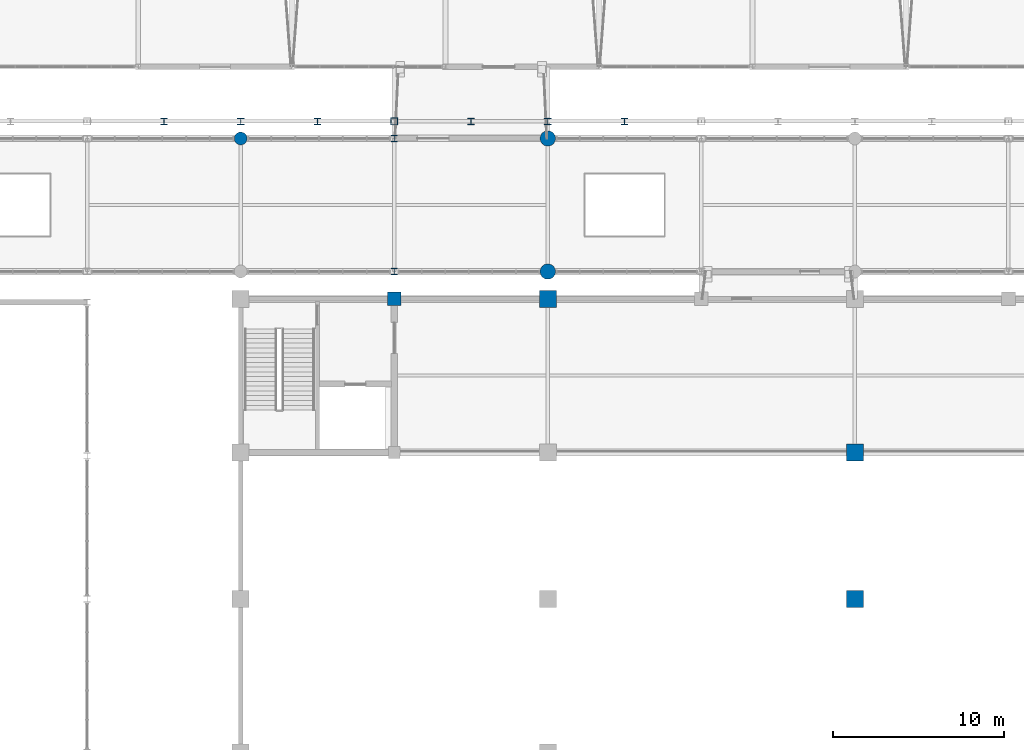
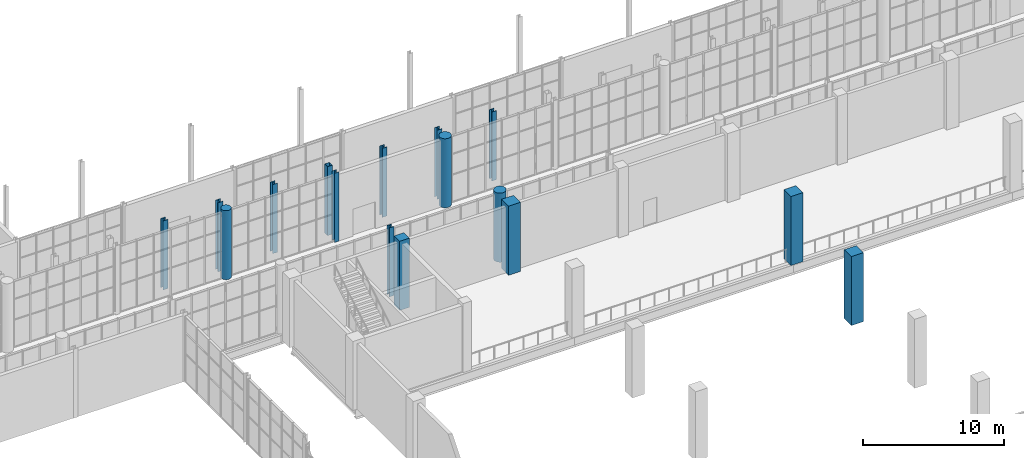
# One storey, part 6 of 159: 16 columns.
"""IFC4 building model written with IfcOpenShell, lengths in metres."""

from ifc_helpers import new_model, si_unit, direction, frame, origin, origin_2d, place, context, subcontext, project, spatial, rectangle, hollow_rectangle, circle, i_section, extrude, material, material_profile, profile_set, type_object, element, save


model = new_model("IFC4")

# Units and contexts
model_context = context("Model", 3, precision=1e-05, world=origin(), true_north=direction((0.0, 1.0)))
body_context = subcontext(model_context, "Body", "Model", "MODEL_VIEW")
ifc_project = project(units=[si_unit("LENGTHUNIT", "METRE"), si_unit("AREAUNIT", "SQUARE_METRE"), si_unit("VOLUMEUNIT", "CUBIC_METRE"), si_unit("PLANEANGLEUNIT", "RADIAN"), si_unit("MASSUNIT", "GRAM", prefix="KILO")], contexts=[model_context])

# Site, building, storey
site_placement = place(None, origin())
site = spatial("IfcSite", under=ifc_project, at=site_placement, CompositionType="ELEMENT")
building_placement = place(site_placement, origin())
building = spatial("IfcBuilding", under=site, at=building_placement, Name="Cazmaro Siding Exhibition Halls", CompositionType="ELEMENT")
storey_placement = place(building_placement, frame((0.0, 0.0, 6.0)))
storey = spatial("IfcBuildingStorey", under=building, at=storey_placement, Name="L01", CompositionType="ELEMENT", Elevation=6.0)

# Columns
ifc_material_1 = material(Name="Steel ASTM A992 Grade 50", Category="steel")
ifc_material_profile_1 = material_profile(ifc_material_1, i_section(OverallWidth=0.39208984375, OverallDepth=0.3759765625, WebThickness=0.01708984375, FlangeThickness=0.028076171875, at=origin_2d()), Name="W14X145")
ifc_profile_set_1 = profile_set([ifc_material_profile_1], Name="Steel ASTM A992 Grade 50")
column_type_1 = type_object("IfcColumnType", Name="C-03", PredefinedType="COLUMN", material=ifc_profile_set_1)
for number, where, z_axis, x_axis, name in (
    (1, (67.5, 64.0, 0.0), (0.0, 0.0, 1.0), (1.0, 0.0, 0.0), "Column C-03 COL-0032"),
    (2, (76.5, 64.0, 0.0), (0.0, 0.0, 1.0), (1.0, 0.0, 0.0), "Column C-03 COL-0044"),
    (3, (85.5, 64.0, 0.0), (0.0, 0.0, 1.0), (1.0, 0.0, 0.0), "Column C-03 COL-0056"),
    (4, (94.5, 64.0, 0.0), (0.0, 0.0, 1.0), (1.0, 0.0, 0.0), "Column C-03 COL-0068"),
):
    element("IfcColumn", number, at=place(storey_placement, frame(where, z_axis=z_axis, x_axis=x_axis)), inside=storey, type_object=column_type_1, Name=name, PredefinedType="COLUMN", context=body_context, shape_type="SweptSolid", body=[
        extrude(i_section(OverallWidth=0.39208984375, OverallDepth=0.3759765625, WebThickness=0.01708984375, FlangeThickness=0.028076171875, at=origin_2d()), origin(), (0.0, 0.0, 1.0), 6.0),
    ])
ifc_material_2 = material(Name="Concrete f'c 45 MPa", Category="concrete")
ifc_material_profile_2 = material_profile(ifc_material_2, rectangle(XDim=1.0, YDim=1.0, at=origin_2d()), Name="RC1000X1000")
ifc_profile_set_2 = profile_set([ifc_material_profile_2], Name="Concrete f'c 45 MPa")
column_type_2 = type_object("IfcColumnType", Name="C-07", PredefinedType="COLUMN", material=ifc_profile_set_2)
for number, where, z_axis, x_axis, name in (
    (5, (90.0, 53.60009765625, 0.0), (0.0, 0.0, 1.0), (1.0, 0.0, 0.0), "Column C-07 COL-0480"),
    (6, (108.0, 36.0, 0.0), (0.0, 0.0, 1.0), (1.0, 0.0, 0.0), "Column C-07 COL-0488"),
    (7, (108.0, 44.60009765625, 0.0), (0.0, 0.0, 1.0), (1.0, 0.0, 0.0), "Column C-07 COL-0490"),
):
    element("IfcColumn", number, at=place(storey_placement, frame(where, z_axis=z_axis, x_axis=x_axis)), inside=storey, type_object=column_type_2, Name=name, PredefinedType="COLUMN", context=body_context, shape_type="SweptSolid", body=[
        extrude(rectangle(XDim=1.0, YDim=1.0, at=origin_2d()), origin(), (0.0, 0.0, 1.0), 6.0),
    ])
ifc_material_3 = material(Name="Concrete f'c 45 MPa", Category="concrete")
ifc_material_profile_3 = material_profile(ifc_material_3, rectangle(XDim=0.800048828125, YDim=0.800048828125, at=origin_2d()), Name="RC800X800")
ifc_profile_set_3 = profile_set([ifc_material_profile_3], Name="Concrete f'c 45 MPa")
column_type_3 = type_object("IfcColumnType", Name="C-08", PredefinedType="COLUMN", material=ifc_profile_set_3)
column_1_placement = place(storey_placement, frame((81.0, 53.60009765625, 0.0), z_axis=(0.0, 0.0, 1.0), x_axis=(1.0, 0.0, 0.0)))
element("IfcColumn", 8, at=column_1_placement, inside=storey, type_object=column_type_3, Name="Column C-08 COL-0574", PredefinedType="COLUMN", context=body_context, shape_type="SweptSolid", body=[
    extrude(rectangle(XDim=0.800048828125, YDim=0.800048828125, at=origin_2d()), origin(), (0.0, 0.0, 1.0), 6.0),
])
ifc_material_4 = material(Name="Concrete f'c 45 MPa", Category="concrete")
ifc_material_profile_4 = material_profile(ifc_material_4, circle(Radius=0.449951171875, at=origin_2d()), Name="RC900DIA")
ifc_profile_set_4 = profile_set([ifc_material_profile_4], Name="Concrete f'c 45 MPa")
column_type_4 = type_object("IfcColumnType", Name="C-09", PredefinedType="COLUMN", material=ifc_profile_set_4)
for number, where, z_axis, x_axis, name in (
    (9, (90.0, 55.199951171875, 0.0), (0.0, 0.0, 1.0), (1.0, 0.0, 0.0), "Column C-09 COL-0742"),
    (10, (90.0, 63.0, 0.0), (0.0, 0.0, 1.0), (1.0, 0.0, 0.0), "Column C-09 COL-0745"),
):
    element("IfcColumn", number, at=place(storey_placement, frame(where, z_axis=z_axis, x_axis=x_axis)), inside=storey, type_object=column_type_4, Name=name, PredefinedType="COLUMN", context=body_context, shape_type="SweptSolid", body=[
        extrude(circle(Radius=0.449951171875, at=origin_2d()), origin(), (0.0, 0.0, 1.0), 6.0),
    ])
ifc_material_5 = material(Name="Steel ASTM A992 Grade 50", Category="steel")
ifc_material_profile_5 = material_profile(ifc_material_5, i_section(OverallWidth=0.39892578125, OverallDepth=0.386962890625, WebThickness=0.02099609375, FlangeThickness=0.032958984375, at=origin_2d()), Name="W14X176")
ifc_profile_set_5 = profile_set([ifc_material_profile_5], Name="Steel ASTM A992 Grade 50")
column_type_5 = type_object("IfcColumnType", Name="C-11", PredefinedType="COLUMN", material=ifc_profile_set_5)
for number, where, z_axis, x_axis, name in (
    (11, (72.0, 64.0, 0.0), (0.0, 0.0, 1.0), (1.0, 0.0, 0.0), "Column C-11 COL-0038"),
    (12, (90.0, 64.0, 0.0), (0.0, 0.0, 1.0), (1.0, 0.0, 0.0), "Column C-11 COL-0062"),
):
    element("IfcColumn", number, at=place(storey_placement, frame(where, z_axis=z_axis, x_axis=x_axis)), inside=storey, type_object=column_type_5, Name=name, PredefinedType="COLUMN", context=body_context, shape_type="SweptSolid", body=[
        extrude(i_section(OverallWidth=0.39892578125, OverallDepth=0.386962890625, WebThickness=0.02099609375, FlangeThickness=0.032958984375, at=origin_2d()), origin(), (0.0, 0.0, 1.0), 6.0),
    ])
ifc_material_6 = material(Name="Steel ASTM A992 Grade 50", Category="steel")
ifc_material_profile_6 = material_profile(ifc_material_6, i_section(OverallWidth=0.37109375, OverallDepth=0.364013671875, WebThickness=0.012939453125, FlangeThickness=0.02197265625, at=origin_2d()), Name="W14X109")
ifc_profile_set_6 = profile_set([ifc_material_profile_6], Name="Steel ASTM A992 Grade 50")
column_type_6 = type_object("IfcColumnType", Name="C-12", PredefinedType="COLUMN", material=ifc_profile_set_6)
for number, where, z_axis, x_axis, name in (
    (13, (81.0, 55.199951171875, 0.0), (0.0, 0.0, 1.0), (1.0, 0.0, 0.0), "Column C-12 COL-0736"),
    (14, (81.0, 63.0, 0.0), (0.0, 0.0, 1.0), (1.0, 0.0, 0.0), "Column C-12 COL-0739"),
):
    element("IfcColumn", number, at=place(storey_placement, frame(where, z_axis=z_axis, x_axis=x_axis)), inside=storey, type_object=column_type_6, Name=name, PredefinedType="COLUMN", context=body_context, shape_type="SweptSolid", body=[
        extrude(i_section(OverallWidth=0.37109375, OverallDepth=0.364013671875, WebThickness=0.012939453125, FlangeThickness=0.02197265625, at=origin_2d()), origin(), (0.0, 0.0, 1.0), 6.0),
    ])
ifc_material_7 = material(Name="Steel ASTM A500 Grade C", Category="steel")
ifc_material_profile_7 = material_profile(ifc_material_7, hollow_rectangle(XDim=0.406005859375, YDim=0.406005859375, WallThickness=0.014892578125, at=origin_2d()), Name="HSS16X16X5/8")
ifc_profile_set_7 = profile_set([ifc_material_profile_7], Name="Steel ASTM A500 Grade C")
column_type_7 = type_object("IfcColumnType", Name="PL-01", PredefinedType="PILASTER", material=ifc_profile_set_7)
column_2_placement = place(storey_placement, frame((81.0, 64.0, 0.0), z_axis=(0.0, 0.0, 1.0), x_axis=(1.0, 0.0, 0.0)))
element("IfcColumn", 15, at=column_2_placement, inside=storey, type_object=column_type_7, Name="Column PL-01 COL-0050", PredefinedType="PILASTER", context=body_context, shape_type="SweptSolid", body=[
    extrude(hollow_rectangle(XDim=0.406005859375, YDim=0.406005859375, WallThickness=0.014892578125, at=origin_2d()), origin(), (0.0, 0.0, 1.0), 6.0),
])
ifc_material_8 = material(Name="Concrete f'c 45 MPa", Category="concrete")
ifc_material_profile_8 = material_profile(ifc_material_8, circle(Radius=0.375, at=origin_2d()), Name="RC750DIA")
ifc_profile_set_8 = profile_set([ifc_material_profile_8], Name="Concrete f'c 45 MPa")
column_type_8 = type_object("IfcColumnType", Name="PL-03", PredefinedType="PILASTER", material=ifc_profile_set_8)
column_3_placement = place(storey_placement, frame((72.0, 63.0, 0.0), z_axis=(0.0, 0.0, 1.0), x_axis=(1.0, 0.0, 0.0)))
element("IfcColumn", 16, at=column_3_placement, inside=storey, type_object=column_type_8, Name="Column PL-03 COL-0733", PredefinedType="PILASTER", context=body_context, shape_type="SweptSolid", body=[
    extrude(circle(Radius=0.375, at=origin_2d()), origin(), (0.0, 0.0, 1.0), 6.0),
])

save(model, "model.ifc")
